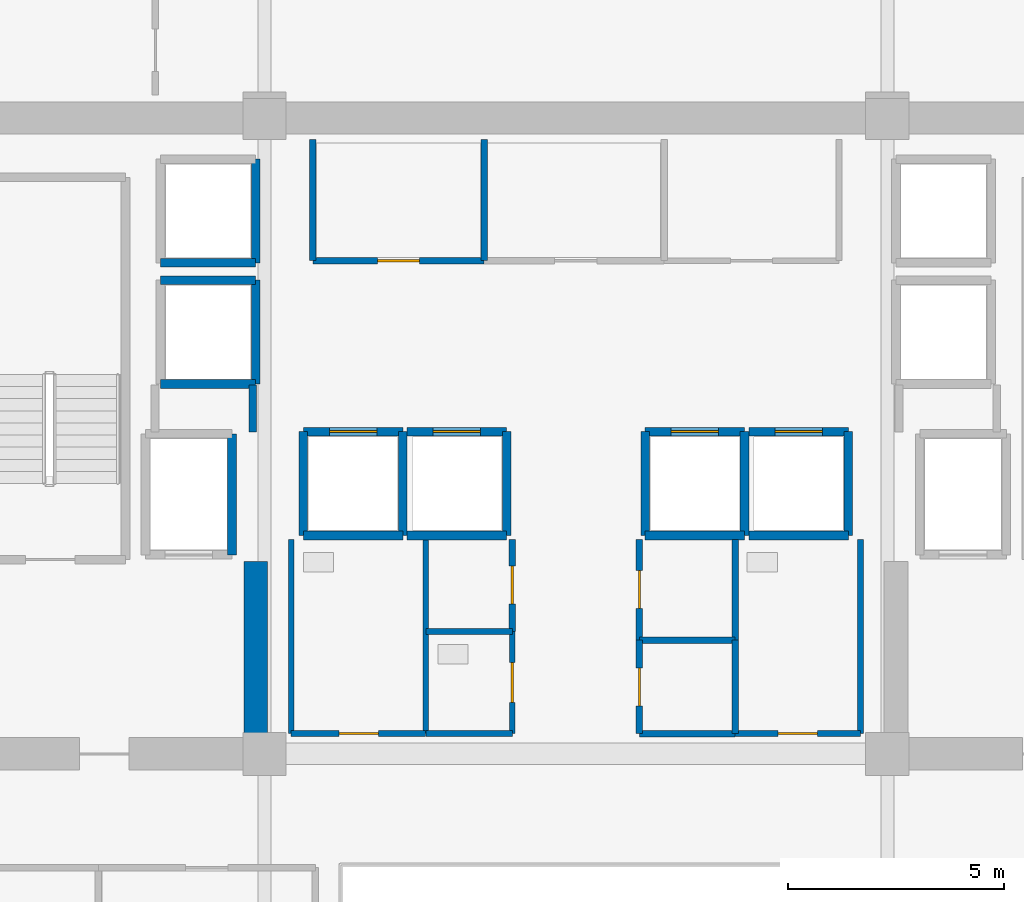
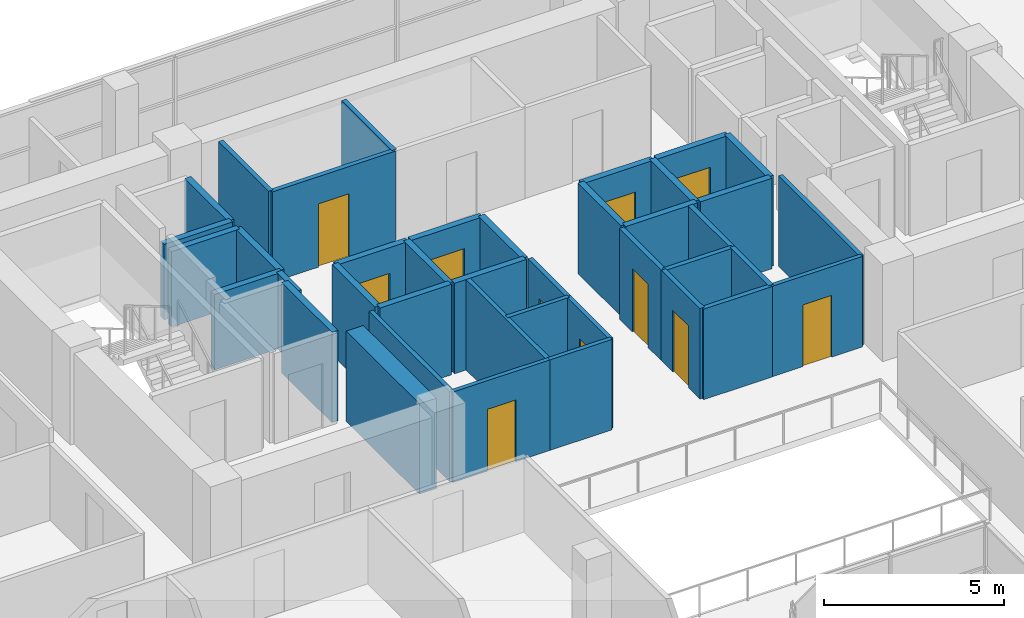
# One storey, part 17 of 23: 40 walls, 11 doors, 11 openings.
"""IFC4 building model written with IfcOpenShell, lengths in metres."""

from ifc_helpers import new_model, si_unit, direction, frame, frame_2d, origin, place, context, subcontext, project, spatial, rectangle, extrude, source, transform, mapped, material, layer, layer_set, type_object, element, fill, save


model = new_model("IFC4")

# Units and contexts
model_context = context("Model", 3, precision=1e-05, world=origin(), true_north=direction((0.0, 1.0)))
body_context = subcontext(model_context, "Body", "Model", "MODEL_VIEW")
ifc_project = project(units=[si_unit("LENGTHUNIT", "METRE"), si_unit("AREAUNIT", "SQUARE_METRE"), si_unit("VOLUMEUNIT", "CUBIC_METRE"), si_unit("PLANEANGLEUNIT", "RADIAN"), si_unit("MASSUNIT", "GRAM", prefix="KILO")], contexts=[model_context])

# Site, building, storey
site_placement = place(None, origin())
site = spatial("IfcSite", under=ifc_project, at=site_placement, CompositionType="ELEMENT")
building_placement = place(site_placement, origin())
building = spatial("IfcBuilding", under=site, at=building_placement, Name="Zarnakvel Exchange Tower", CompositionType="ELEMENT")
storey_placement = place(building_placement, frame((0.0, 0.0, 172.60009765625)))
storey = spatial("IfcBuildingStorey", under=building, at=storey_placement, Name="L48", CompositionType="ELEMENT", Elevation=172.60009765625)

# Wall
ifc_material_1 = material(Name="Concrete C60/75", Category="concrete")
ifc_layer_1 = layer(ifc_material_1, 0.550048828125)
ifc_layer_set_1 = layer_set([ifc_layer_1], Name="Concrete C60/75")
wall_type_1 = type_object("IfcWallType", Name="CW-C4", PredefinedType="SHEAR", material=ifc_layer_set_1)
wall_1_placement = place(storey_placement, frame((-7.39990234375, -0.824951171875, 0.0), z_axis=(0.0, 0.0, 1.0), x_axis=(0.0, 1.0, 0.0)))
element("IfcWall", 1, at=wall_1_placement, inside=storey, type_object=wall_type_1, Name="L48 Rear Core Shear Wall IW (CW-C4)", PredefinedType="SHEAR", context=body_context, shape_type="SweptSolid", body=[
    extrude(rectangle(XDim=4.074951171875, YDim=0.550048828125, at=frame_2d((2.03759765625, 0.0))), origin(), (0.0, 0.0, 1.0), 3.074951171875),
])

# Wall, opening, door
ifc_material_2 = material(Name="Fire-Rated Gypsum Stud Partition", Category="gypsum")
ifc_layer_2 = layer(ifc_material_2, 0.14990234375)
ifc_layer_set_2 = layer_set([ifc_layer_2], Name="Fire-Rated Gypsum Stud Partition")
wall_type_2 = type_object("IfcWallType", Name="PT-01", PredefinedType="PARTITIONING", material=ifc_layer_set_2)
wall_2_placement = place(storey_placement, frame((-2.1201171875, 10.199951171875, 0.0), z_axis=(0.0, 0.0, 1.0), x_axis=(-1.0, 0.0, 0.0)))
wall_2 = element("IfcWall", 2, at=wall_2_placement, inside=storey, type_object=wall_type_2, Name="L48 Partition Wall PWALL-L48-011 (PT-01)", PredefinedType="PARTITIONING", context=body_context, shape_type="SweptSolid", body=[
    extrude(rectangle(XDim=3.9599609375, YDim=0.14990234375, at=frame_2d((1.97998046875, 0.0))), origin(), (0.0, 0.0, 1.0), 3.074951171875),
])
opening_1_placement = place(wall_2_placement, frame((1.489990234375, 0.0, 0.0)))
opening_1 = element("IfcOpeningElement", 3, at=opening_1_placement, cuts=wall_2, Name="Opening D-L48-05", PredefinedType="OPENING", context=body_context, shape_type="SweptSolid", body=[
    extrude(rectangle(XDim=0.97998046875, YDim=2.14990234375, at=frame_2d((0.489990234375, 1.074951171875))), frame((0.0, 0.0849609375, 0.0), z_axis=(0.0, -1.0, 0.0), x_axis=(1.0, 0.0, 0.0)), (0.0, 0.0, 1.0), 0.169921875),
])
ifc_material_3 = material(Name="Timber Acoustic Veneer", Category="wood")
door_type_1 = type_object("IfcDoorType", Name="DT-05", OperationType="NOTDEFINED", PredefinedType="DOOR", material=ifc_material_3)
shared_shape_1 = source(origin(), body_context, "Body", "SweptSolid", [
    extrude(rectangle(XDim=0.97998046875, YDim=2.14990234375, at=frame_2d((0.489990234375, 1.074951171875))), frame((0.0, 0.02490234375, 0.0), z_axis=(0.0, -1.0, 0.0), x_axis=(1.0, 0.0, 0.0)), (0.0, 0.0, 1.0), 0.050048828125),
])
door_1_placement = place(opening_1_placement, origin())
door_1 = element("IfcDoor", 4, at=door_1_placement, inside=storey, type_object=door_type_1, Name="L48 Clearing Records Office Door D-L48-05", OperationType="SINGLE_SWING_RIGHT", OverallHeight=2.14990234375, OverallWidth=0.97998046875, PredefinedType="DOOR", context=body_context, shape_type="MappedRepresentation", body=[
    mapped(shared_shape_1, transform((0.0, 0.0, 0.0), x_axis=(1.0, 0.0, 0.0), y_axis=(0.0, 1.0, 0.0), z_axis=(0.0, 0.0, 1.0), scale=1.0)),
])
fill(opening_1, door_1)

# Walls
for number, where, z_axis, x_axis, name in (
    (5, (-6.080078125, 10.199951171875, 0.0), (0.0, 0.0, 1.0), (0.0, 1.0, 0.0), "L48 Partition Wall PWALL-L48-012 (PT-01)"),
    (6, (-2.1201171875, 13.0, 0.0), (0.0, 0.0, 1.0), (0.0, -1.0, 0.0), "L48 Partition Wall PWALL-L48-013 (PT-01)"),
):
    element("IfcWall", number, at=place(storey_placement, frame(where, z_axis=z_axis, x_axis=x_axis)), inside=storey, type_object=wall_type_2, Name=name, PredefinedType="PARTITIONING", context=body_context, shape_type="SweptSolid", body=[
        extrude(rectangle(XDim=2.800048828125, YDim=0.14990234375, at=frame_2d((1.39990234375, 0.0))), origin(), (0.0, 0.0, 1.0), 3.074951171875),
    ])

# Wall, opening, door
wall_3_placement = place(storey_placement, frame((-1.469970703125, 3.760009765625, 0.0), z_axis=(0.0, 0.0, 1.0), x_axis=(0.0, -1.0, 0.0)))
wall_3 = element("IfcWall", 7, at=wall_3_placement, inside=storey, type_object=wall_type_2, Name="L48 Partition Wall PWALL-L48-024 (PT-01)", PredefinedType="PARTITIONING", context=body_context, shape_type="SweptSolid", body=[
    extrude(rectangle(XDim=2.130126953125, YDim=0.14990234375, at=frame_2d((1.06494140625, 0.0))), origin(), (0.0, 0.0, 1.0), 3.074951171875),
])
opening_2_placement = place(wall_3_placement, frame((0.6201171875, 0.0, 0.0)))
opening_2 = element("IfcOpeningElement", 8, at=opening_2_placement, cuts=wall_3, Name="Opening D-L48-10", PredefinedType="OPENING", context=body_context, shape_type="SweptSolid", body=[
    extrude(rectangle(XDim=0.8798828125, YDim=2.10009765625, at=frame_2d((0.43994140625, 1.050048828125))), frame((0.0, 0.0849609375, 0.0), z_axis=(0.0, -1.0, 0.0), x_axis=(1.0, 0.0, 0.0)), (0.0, 0.0, 1.0), 0.169921875),
])
ifc_material_4 = material(Name="Painted Galvanised Steel S355", Category="steel")
door_type_2 = type_object("IfcDoorType", Name="DT-08", OperationType="NOTDEFINED", PredefinedType="DOOR", material=ifc_material_4)
shared_shape_2 = source(origin(), body_context, "Body", "SweptSolid", [
    extrude(rectangle(XDim=0.8798828125, YDim=2.10009765625, at=frame_2d((0.43994140625, 1.050048828125))), frame((0.0, 0.02490234375, 0.0), z_axis=(0.0, -1.0, 0.0), x_axis=(1.0, 0.0, 0.0)), (0.0, 0.0, 1.0), 0.050048828125),
])
door_2_placement = place(opening_2_placement, origin())
door_2 = element("IfcDoor", 9, at=door_2_placement, inside=storey, type_object=door_type_2, Name="L48 Core Comms Room Door D-L48-10", OperationType="SINGLE_SWING_LEFT", OverallHeight=2.10009765625, OverallWidth=0.8798828125, PredefinedType="DOOR", context=body_context, shape_type="MappedRepresentation", body=[
    mapped(shared_shape_2, transform((0.0, 0.0, 0.0), x_axis=(1.0, 0.0, 0.0), y_axis=(0.0, 1.0, 0.0), z_axis=(0.0, 0.0, 1.0), scale=1.0)),
])
fill(opening_2, door_2)

# Walls
for number, where, z_axis, x_axis, name in (
    (10, (3.679931640625, -0.72998046875, 0.0), (0.0, 0.0, 1.0), (-1.0, 0.0, 0.0), "L48 Partition Wall PWALL-L48-025 (PT-01)"),
    (11, (1.469970703125, 1.429931640625, 0.0), (0.0, 0.0, 1.0), (1.0, 0.0, 0.0), "L48 Partition Wall PWALL-L48-026 (PT-01)"),
):
    element("IfcWall", number, at=place(storey_placement, frame(where, z_axis=z_axis, x_axis=x_axis)), inside=storey, type_object=wall_type_2, Name=name, PredefinedType="PARTITIONING", context=body_context, shape_type="SweptSolid", body=[
        extrude(rectangle(XDim=2.2099609375, YDim=0.14990234375, at=frame_2d((1.10498046875, 0.0))), origin(), (0.0, 0.0, 1.0), 3.074951171875),
    ])

# Wall, opening, door
wall_4_placement = place(storey_placement, frame((1.469970703125, -0.72998046875, 0.0), z_axis=(0.0, 0.0, 1.0), x_axis=(0.0, 1.0, 0.0)))
wall_4 = element("IfcWall", 12, at=wall_4_placement, inside=storey, type_object=wall_type_2, Name="L48 Partition Wall PWALL-L48-027 (PT-01)", PredefinedType="PARTITIONING", context=body_context, shape_type="SweptSolid", body=[
    extrude(rectangle(XDim=2.159912109375, YDim=0.14990234375, at=frame_2d((1.080078125, 0.0))), origin(), (0.0, 0.0, 1.0), 3.074951171875),
])
opening_3_placement = place(wall_4_placement, frame((0.639892578125, 0.0, 0.0)))
opening_3 = element("IfcOpeningElement", 13, at=opening_3_placement, cuts=wall_4, Name="Opening D-L48-11", PredefinedType="OPENING", context=body_context, shape_type="SweptSolid", body=[
    extrude(rectangle(XDim=0.8798828125, YDim=2.10009765625, at=frame_2d((0.43994140625, 1.050048828125))), frame((0.0, 0.0849609375, 0.0), z_axis=(0.0, -1.0, 0.0), x_axis=(1.0, 0.0, 0.0)), (0.0, 0.0, 1.0), 0.169921875),
])
door_3_placement = place(opening_3_placement, origin())
door_3 = element("IfcDoor", 14, at=door_3_placement, inside=storey, type_object=door_type_2, Name="L48 Janitor Store Door D-L48-11", OperationType="SINGLE_SWING_RIGHT", OverallHeight=2.10009765625, OverallWidth=0.8798828125, PredefinedType="DOOR", context=body_context, shape_type="MappedRepresentation", body=[
    mapped(shared_shape_2, transform((0.0, 0.0, 0.0), x_axis=(1.0, 0.0, 0.0), y_axis=(0.0, 1.0, 0.0), z_axis=(0.0, 0.0, 1.0), scale=1.0)),
])
fill(opening_3, door_3)

# Wall
wall_5_placement = place(storey_placement, frame((3.679931640625, 1.429931640625, 0.0), z_axis=(0.0, 0.0, 1.0), x_axis=(0.0, -1.0, 0.0)))
element("IfcWall", 15, at=wall_5_placement, inside=storey, type_object=wall_type_2, Name="L48 Partition Wall PWALL-L48-028 (PT-01)", PredefinedType="PARTITIONING", context=body_context, shape_type="SweptSolid", body=[
    extrude(rectangle(XDim=2.159912109375, YDim=0.14990234375, at=frame_2d((1.080078125, 0.0))), origin(), (0.0, 0.0, 1.0), 3.074951171875),
])

# Wall, opening, door
wall_6_placement = place(storey_placement, frame((1.469970703125, 1.429931640625, 0.0), z_axis=(0.0, 0.0, 1.0), x_axis=(0.0, 1.0, 0.0)))
wall_6 = element("IfcWall", 16, at=wall_6_placement, inside=storey, type_object=wall_type_2, Name="L48 Partition Wall PWALL-L48-029 (PT-01)", PredefinedType="PARTITIONING", context=body_context, shape_type="SweptSolid", body=[
    extrude(rectangle(XDim=2.330078125, YDim=0.14990234375, at=frame_2d((1.1650390625, 0.0))), origin(), (0.0, 0.0, 1.0), 3.074951171875),
])
opening_4_placement = place(wall_6_placement, frame((0.72998046875, 0.0, 0.0)))
opening_4 = element("IfcOpeningElement", 17, at=opening_4_placement, cuts=wall_6, Name="Opening D-L48-12", PredefinedType="OPENING", context=body_context, shape_type="SweptSolid", body=[
    extrude(rectangle(XDim=0.8798828125, YDim=2.14990234375, at=frame_2d((0.43994140625, 1.074951171875))), frame((0.0, 0.0849609375, 0.0), z_axis=(0.0, -1.0, 0.0), x_axis=(1.0, 0.0, 0.0)), (0.0, 0.0, 1.0), 0.169921875),
])
shared_shape_3 = source(origin(), body_context, "Body", "SweptSolid", [
    extrude(rectangle(XDim=0.8798828125, YDim=2.14990234375, at=frame_2d((0.43994140625, 1.074951171875))), frame((0.0, 0.02490234375, 0.0), z_axis=(0.0, -1.0, 0.0), x_axis=(1.0, 0.0, 0.0)), (0.0, 0.0, 1.0), 0.050048828125),
])
door_4_placement = place(opening_4_placement, origin())
door_4 = element("IfcDoor", 18, at=door_4_placement, inside=storey, type_object=door_type_1, Name="L48 Stationery Store Door D-L48-12", OperationType="SINGLE_SWING_LEFT", OverallHeight=2.14990234375, OverallWidth=0.8798828125, PredefinedType="DOOR", context=body_context, shape_type="MappedRepresentation", body=[
    mapped(shared_shape_3, transform((0.0, 0.0, 0.0), x_axis=(1.0, 0.0, 0.0), y_axis=(0.0, 1.0, 0.0), z_axis=(0.0, 0.0, 1.0), scale=1.0)),
])
fill(opening_4, door_4)

# Walls
wall_7_placement = place(storey_placement, frame((3.679931640625, 3.760009765625, 0.0), z_axis=(0.0, 0.0, 1.0), x_axis=(0.0, -1.0, 0.0)))
element("IfcWall", 19, at=wall_7_placement, inside=storey, type_object=wall_type_2, Name="L48 Partition Wall PWALL-L48-030 (PT-01)", PredefinedType="PARTITIONING", context=body_context, shape_type="SweptSolid", body=[
    extrude(rectangle(XDim=2.330078125, YDim=0.14990234375, at=frame_2d((1.1650390625, 0.0))), origin(), (0.0, 0.0, 1.0), 3.074951171875),
])
ifc_layer_3 = layer(ifc_material_2, 0.179931640625)
ifc_layer_set_3 = layer_set([ifc_layer_3], Name="Fire-Rated Gypsum Stud Partition")
wall_type_3 = type_object("IfcWallType", Name="PT-02", PredefinedType="PARTITIONING", material=ifc_layer_set_3)
wall_8_placement = place(storey_placement, frame((-7.469970703125, 7.330078125, 0.0), z_axis=(0.0, 0.0, 1.0), x_axis=(0.0, -1.0, 0.0)))
element("IfcWall", 20, at=wall_8_placement, inside=storey, type_object=wall_type_3, Name="L48 Partition Wall PWALL-L48-008 (PT-02)", PredefinedType="PARTITIONING", context=body_context, shape_type="SweptSolid", body=[
    extrude(rectangle(XDim=1.090087890625, YDim=0.179931640625, at=frame_2d((0.544921875, 0.0))), origin(), (0.0, 0.0, 1.0), 2.56494140625),
])

# Wall, opening, door
ifc_material_5 = material(Name="Moisture-Resistant Tile-Faced Partition", Category="gypsum")
ifc_layer_4 = layer(ifc_material_5, 0.135009765625)
ifc_layer_set_4 = layer_set([ifc_layer_4], Name="Moisture-Resistant Tile-Faced Partition")
wall_type_4 = type_object("IfcWallType", Name="PT-03", PredefinedType="PARTITIONING", material=ifc_layer_set_4)
wall_9_placement = place(storey_placement, frame((-3.469970703125, -0.72998046875, 0.0), z_axis=(0.0, 0.0, 1.0), x_axis=(-1.0, 0.0, 0.0)))
wall_9 = element("IfcWall", 21, at=wall_9_placement, inside=storey, type_object=wall_type_4, Name="L48 Partition Wall PWALL-L48-018 (PT-03)", PredefinedType="PARTITIONING", context=body_context, shape_type="SweptSolid", body=[
    extrude(rectangle(XDim=3.110107421875, YDim=0.135009765625, at=frame_2d((1.55517578125, 0.0))), origin(), (0.0, 0.0, 1.0), 3.074951171875),
])
opening_5_placement = place(wall_9_placement, frame((1.090087890625, 0.0, 0.0)))
opening_5 = element("IfcOpeningElement", 22, at=opening_5_placement, cuts=wall_9, Name="Opening D-L48-08", PredefinedType="OPENING", context=body_context, shape_type="SweptSolid", body=[
    extrude(rectangle(XDim=0.919921875, YDim=2.10009765625, at=frame_2d((0.4599609375, 1.050048828125))), frame((0.0, 0.077392578125, 0.0), z_axis=(0.0, -1.0, 0.0), x_axis=(1.0, 0.0, 0.0)), (0.0, 0.0, 1.0), 0.155029296875),
])
ifc_material_6 = material(Name="Moisture-Resistant Laminate Timber", Category="wood")
door_type_3 = type_object("IfcDoorType", Name="DT-07", OperationType="NOTDEFINED", PredefinedType="DOOR", material=ifc_material_6)
shared_shape_4 = source(origin(), body_context, "Body", "SweptSolid", [
    extrude(rectangle(XDim=0.919921875, YDim=2.10009765625, at=frame_2d((0.4599609375, 1.050048828125))), frame((0.0, 0.02490234375, 0.0), z_axis=(0.0, -1.0, 0.0), x_axis=(1.0, 0.0, 0.0)), (0.0, 0.0, 1.0), 0.050048828125),
])
door_5_placement = place(opening_5_placement, origin())
door_5 = element("IfcDoor", 23, at=door_5_placement, inside=storey, type_object=door_type_3, Name="L48 Male Toilet Door D-L48-08", OperationType="SINGLE_SWING_LEFT", OverallHeight=2.10009765625, OverallWidth=0.919921875, PredefinedType="DOOR", context=body_context, shape_type="MappedRepresentation", body=[
    mapped(shared_shape_4, transform((0.0, 0.0, 0.0), x_axis=(1.0, 0.0, 0.0), y_axis=(0.0, 1.0, 0.0), z_axis=(0.0, 0.0, 1.0), scale=1.0)),
])
fill(opening_5, door_5)

# Walls
for number, where, z_axis, x_axis, name in (
    (24, (-6.580078125, -0.72998046875, 0.0), (0.0, 0.0, 1.0), (0.0, 1.0, 0.0), "L48 Partition Wall PWALL-L48-019 (PT-03)"),
    (25, (-3.469970703125, 3.760009765625, 0.0), (0.0, 0.0, 1.0), (0.0, -1.0, 0.0), "L48 Partition Wall PWALL-L48-020 (PT-03)"),
):
    element("IfcWall", number, at=place(storey_placement, frame(where, z_axis=z_axis, x_axis=x_axis)), inside=storey, type_object=wall_type_4, Name=name, PredefinedType="PARTITIONING", context=body_context, shape_type="SweptSolid", body=[
        extrude(rectangle(XDim=4.489990234375, YDim=0.135009765625, at=frame_2d((2.2451171875, 0.0))), origin(), (0.0, 0.0, 1.0), 3.074951171875),
    ])
for number, where, z_axis, x_axis, name in (
    (26, (-1.469970703125, -0.72998046875, 0.0), (0.0, 0.0, 1.0), (-1.0, 0.0, 0.0), "L48 Partition Wall PWALL-L48-021 (PT-03)"),
    (27, (-3.469970703125, 1.6298828125, 0.0), (0.0, 0.0, 1.0), (1.0, 0.0, 0.0), "L48 Partition Wall PWALL-L48-022 (PT-03)"),
):
    element("IfcWall", number, at=place(storey_placement, frame(where, z_axis=z_axis, x_axis=x_axis)), inside=storey, type_object=wall_type_4, Name=name, PredefinedType="PARTITIONING", context=body_context, shape_type="SweptSolid", body=[
        extrude(rectangle(XDim=2.0, YDim=0.135009765625, at=frame_2d((1.0, 0.0))), origin(), (0.0, 0.0, 1.0), 3.074951171875),
    ])

# Wall, opening, door
wall_10_placement = place(storey_placement, frame((-1.469970703125, 1.6298828125, 0.0), z_axis=(0.0, 0.0, 1.0), x_axis=(0.0, -1.0, 0.0)))
wall_10 = element("IfcWall", 28, at=wall_10_placement, inside=storey, type_object=wall_type_4, Name="L48 Partition Wall PWALL-L48-023 (PT-03)", PredefinedType="PARTITIONING", context=body_context, shape_type="SweptSolid", body=[
    extrude(rectangle(XDim=2.35986328125, YDim=0.135009765625, at=frame_2d((1.179931640625, 0.0))), origin(), (0.0, 0.0, 1.0), 3.074951171875),
])
opening_6_placement = place(wall_10_placement, frame((0.719970703125, 0.0, 0.0)))
opening_6 = element("IfcOpeningElement", 29, at=opening_6_placement, cuts=wall_10, Name="Opening D-L48-09", PredefinedType="OPENING", context=body_context, shape_type="SweptSolid", body=[
    extrude(rectangle(XDim=0.919921875, YDim=2.10009765625, at=frame_2d((0.4599609375, 1.050048828125))), frame((0.0, 0.077392578125, 0.0), z_axis=(0.0, -1.0, 0.0), x_axis=(1.0, 0.0, 0.0)), (0.0, 0.0, 1.0), 0.155029296875),
])
door_6_placement = place(opening_6_placement, origin())
door_6 = element("IfcDoor", 30, at=door_6_placement, inside=storey, type_object=door_type_3, Name="L48 Accessible Toilet Door D-L48-09", OperationType="SINGLE_SWING_RIGHT", OverallHeight=2.10009765625, OverallWidth=0.919921875, PredefinedType="DOOR", context=body_context, shape_type="MappedRepresentation", body=[
    mapped(shared_shape_4, transform((0.0, 0.0, 0.0), x_axis=(1.0, 0.0, 0.0), y_axis=(0.0, 1.0, 0.0), z_axis=(0.0, 0.0, 1.0), scale=1.0)),
])
fill(opening_6, door_6)

wall_11_placement = place(storey_placement, frame((6.580078125, -0.72998046875, 0.0), z_axis=(0.0, 0.0, 1.0), x_axis=(-1.0, 0.0, 0.0)))
wall_11 = element("IfcWall", 31, at=wall_11_placement, inside=storey, type_object=wall_type_4, Name="L48 Partition Wall PWALL-L48-031 (PT-03)", PredefinedType="PARTITIONING", context=body_context, shape_type="SweptSolid", body=[
    extrude(rectangle(XDim=2.900146484375, YDim=0.135009765625, at=frame_2d((1.4501953125, 0.0))), origin(), (0.0, 0.0, 1.0), 3.074951171875),
])
opening_7_placement = place(wall_11_placement, frame((0.989990234375, 0.0, 0.0)))
opening_7 = element("IfcOpeningElement", 32, at=opening_7_placement, cuts=wall_11, Name="Opening D-L48-13", PredefinedType="OPENING", context=body_context, shape_type="SweptSolid", body=[
    extrude(rectangle(XDim=0.919921875, YDim=2.10009765625, at=frame_2d((0.4599609375, 1.050048828125))), frame((0.0, 0.077392578125, 0.0), z_axis=(0.0, -1.0, 0.0), x_axis=(1.0, 0.0, 0.0)), (0.0, 0.0, 1.0), 0.155029296875),
])
door_7_placement = place(opening_7_placement, origin())
door_7 = element("IfcDoor", 33, at=door_7_placement, inside=storey, type_object=door_type_3, Name="L48 Female Toilet Door D-L48-13", OperationType="SINGLE_SWING_RIGHT", OverallHeight=2.10009765625, OverallWidth=0.919921875, PredefinedType="DOOR", context=body_context, shape_type="MappedRepresentation", body=[
    mapped(shared_shape_4, transform((0.0, 0.0, 0.0), x_axis=(1.0, 0.0, 0.0), y_axis=(0.0, 1.0, 0.0), z_axis=(0.0, 0.0, 1.0), scale=1.0)),
])
fill(opening_7, door_7)

# Walls
wall_12_placement = place(storey_placement, frame((6.580078125, 3.760009765625, 0.0), z_axis=(0.0, 0.0, 1.0), x_axis=(0.0, -1.0, 0.0)))
element("IfcWall", 34, at=wall_12_placement, inside=storey, type_object=wall_type_4, Name="L48 Partition Wall PWALL-L48-032 (PT-03)", PredefinedType="PARTITIONING", context=body_context, shape_type="SweptSolid", body=[
    extrude(rectangle(XDim=4.489990234375, YDim=0.135009765625, at=frame_2d((2.2451171875, 0.0))), origin(), (0.0, 0.0, 1.0), 3.074951171875),
])
ifc_material_7 = material(Name="Concrete C40/50", Category="concrete")
ifc_layer_5 = layer(ifc_material_7, 0.199951171875)
ifc_layer_set_5 = layer_set([ifc_layer_5], Name="Concrete C40/50")
wall_type_5 = type_object("IfcWallType", Name="SW-01", PredefinedType="SOLIDWALL", material=ifc_layer_set_5)
wall_13_placement = place(storey_placement, frame((-7.949951171875, 6.199951171875, 0.0), z_axis=(0.0, 0.0, 1.0), x_axis=(0.0, -1.0, 0.0)))
element("IfcWall", 35, at=wall_13_placement, inside=storey, type_object=wall_type_5, Name="L48 FL-01 Hoistway Wall East", PredefinedType="SOLIDWALL", context=body_context, shape_type="SweptSolid", body=[
    extrude(rectangle(XDim=2.800048828125, YDim=0.199951171875, at=frame_2d((1.39990234375, 0.0))), origin(), (0.0, 0.0, 1.0), 3.074951171875),
])
wall_14_placement = place(storey_placement, frame((-4.0, 3.85009765625, 0.0), z_axis=(0.0, 0.0, 1.0), x_axis=(-1.0, 0.0, 0.0)))
element("IfcWall", 36, at=wall_14_placement, inside=storey, type_object=wall_type_5, Name="L48 PL-05 Hoistway Wall South", PredefinedType="SOLIDWALL", context=body_context, shape_type="SweptSolid", body=[
    extrude(rectangle(XDim=2.300048828125, YDim=0.199951171875, at=frame_2d((1.14990234375, 0.0))), origin(), (0.0, 0.0, 1.0), 3.074951171875),
])

# Wall, opening, door
wall_15_placement = place(storey_placement, frame((-6.300048828125, 6.25, 0.0), z_axis=(0.0, 0.0, 1.0), x_axis=(1.0, 0.0, 0.0)))
wall_15 = element("IfcWall", 37, at=wall_15_placement, inside=storey, type_object=wall_type_5, Name="L48 PL-05 Hoistway Wall North", PredefinedType="SOLIDWALL", context=body_context, shape_type="SweptSolid", body=[
    extrude(rectangle(XDim=2.300048828125, YDim=0.199951171875, at=frame_2d((1.14990234375, 0.0))), origin(), (0.0, 0.0, 1.0), 3.074951171875),
])
opening_8_placement = place(wall_15_placement, frame((0.60009765625, 0.0, 0.0)))
opening_8 = element("IfcOpeningElement", 38, at=opening_8_placement, cuts=wall_15, Name="Opening LD-PL-05-L48", PredefinedType="OPENING", context=body_context, shape_type="SweptSolid", body=[
    extrude(rectangle(XDim=1.10009765625, YDim=2.199951171875, at=frame_2d((0.550048828125, 1.10009765625))), frame((0.0, 0.10986328125, 0.0), z_axis=(0.0, -1.0, 0.0), x_axis=(1.0, 0.0, 0.0)), (0.0, 0.0, 1.0), 0.219970703125),
])
ifc_material_8 = material(Name="Architectural Bronze Anodised Aluminium", Category="aluminium")
door_type_4 = type_object("IfcDoorType", Name="LDT-02", OperationType="NOTDEFINED", PredefinedType="DOOR", material=ifc_material_8)
shared_shape_5 = source(origin(), body_context, "Body", "SweptSolid", [
    extrude(rectangle(XDim=1.10009765625, YDim=2.199951171875, at=frame_2d((0.550048828125, 1.10009765625))), frame((0.0, 0.02490234375, 0.0), z_axis=(0.0, -1.0, 0.0), x_axis=(1.0, 0.0, 0.0)), (0.0, 0.0, 1.0), 0.050048828125),
])
door_8_placement = place(opening_8_placement, origin())
door_8 = element("IfcDoor", 39, at=door_8_placement, inside=storey, type_object=door_type_4, Name="L48 PL-05 Lift Landing Door LD-PL-05-L48", OperationType="DOUBLE_DOOR_SLIDING", OverallHeight=2.199951171875, OverallWidth=1.10009765625, PredefinedType="DOOR", context=body_context, shape_type="MappedRepresentation", body=[
    mapped(shared_shape_5, transform((0.0, 0.0, 0.0), x_axis=(1.0, 0.0, 0.0), y_axis=(0.0, 1.0, 0.0), z_axis=(0.0, 0.0, 1.0), scale=1.0)),
])
fill(opening_8, door_8)

# Walls
for number, where, z_axis, x_axis, name in (
    (40, (-6.300048828125, 3.85009765625, 0.0), (0.0, 0.0, 1.0), (0.0, 1.0, 0.0), "L48 PL-05 Hoistway Wall West"),
    (41, (-4.0, 6.25, 0.0), (0.0, 0.0, 1.0), (0.0, -1.0, 0.0), "L48 PL-05 Hoistway Wall East"),
):
    element("IfcWall", number, at=place(storey_placement, frame(where, z_axis=z_axis, x_axis=x_axis)), inside=storey, type_object=wall_type_5, Name=name, PredefinedType="SOLIDWALL", context=body_context, shape_type="SweptSolid", body=[
        extrude(rectangle(XDim=2.39990234375, YDim=0.199951171875, at=frame_2d((1.199951171875, 0.0))), origin(), (0.0, 0.0, 1.0), 3.074951171875),
    ])
wall_16_placement = place(storey_placement, frame((-1.60009765625, 3.85009765625, 0.0), z_axis=(0.0, 0.0, 1.0), x_axis=(-1.0, 0.0, 0.0)))
element("IfcWall", 42, at=wall_16_placement, inside=storey, type_object=wall_type_5, Name="L48 PL-06 Hoistway Wall South", PredefinedType="SOLIDWALL", context=body_context, shape_type="SweptSolid", body=[
    extrude(rectangle(XDim=2.2998046875, YDim=0.199951171875, at=frame_2d((1.14990234375, 0.0))), origin(), (0.0, 0.0, 1.0), 3.074951171875),
])

# Wall, opening, door
wall_17_placement = place(storey_placement, frame((-3.89990234375, 6.25, 0.0), z_axis=(0.0, 0.0, 1.0), x_axis=(1.0, 0.0, 0.0)))
wall_17 = element("IfcWall", 43, at=wall_17_placement, inside=storey, type_object=wall_type_5, Name="L48 PL-06 Hoistway Wall North", PredefinedType="SOLIDWALL", context=body_context, shape_type="SweptSolid", body=[
    extrude(rectangle(XDim=2.2998046875, YDim=0.199951171875, at=frame_2d((1.14990234375, 0.0))), origin(), (0.0, 0.0, 1.0), 3.074951171875),
])
opening_9_placement = place(wall_17_placement, frame((0.60009765625, 0.0, 0.0)))
opening_9 = element("IfcOpeningElement", 44, at=opening_9_placement, cuts=wall_17, Name="Opening LD-PL-06-L48", PredefinedType="OPENING", context=body_context, shape_type="SweptSolid", body=[
    extrude(rectangle(XDim=1.10009765625, YDim=2.199951171875, at=frame_2d((0.550048828125, 1.10009765625))), frame((0.0, 0.10986328125, 0.0), z_axis=(0.0, -1.0, 0.0), x_axis=(1.0, 0.0, 0.0)), (0.0, 0.0, 1.0), 0.219970703125),
])
door_9_placement = place(opening_9_placement, origin())
door_9 = element("IfcDoor", 45, at=door_9_placement, inside=storey, type_object=door_type_4, Name="L48 PL-06 Lift Landing Door LD-PL-06-L48", OperationType="DOUBLE_DOOR_SLIDING", OverallHeight=2.199951171875, OverallWidth=1.10009765625, PredefinedType="DOOR", context=body_context, shape_type="MappedRepresentation", body=[
    mapped(shared_shape_5, transform((0.0, 0.0, 0.0), x_axis=(1.0, 0.0, 0.0), y_axis=(0.0, 1.0, 0.0), z_axis=(0.0, 0.0, 1.0), scale=1.0)),
])
fill(opening_9, door_9)

# Walls
wall_18_placement = place(storey_placement, frame((-1.60009765625, 6.25, 0.0), z_axis=(0.0, 0.0, 1.0), x_axis=(0.0, -1.0, 0.0)))
element("IfcWall", 46, at=wall_18_placement, inside=storey, type_object=wall_type_5, Name="L48 PL-06 Hoistway Wall East", PredefinedType="SOLIDWALL", context=body_context, shape_type="SweptSolid", body=[
    extrude(rectangle(XDim=2.39990234375, YDim=0.199951171875, at=frame_2d((1.199951171875, 0.0))), origin(), (0.0, 0.0, 1.0), 3.074951171875),
])
wall_19_placement = place(storey_placement, frame((3.89990234375, 3.85009765625, 0.0), z_axis=(0.0, 0.0, 1.0), x_axis=(-1.0, 0.0, 0.0)))
element("IfcWall", 47, at=wall_19_placement, inside=storey, type_object=wall_type_5, Name="L48 PL-07 Hoistway Wall South", PredefinedType="SOLIDWALL", context=body_context, shape_type="SweptSolid", body=[
    extrude(rectangle(XDim=2.2998046875, YDim=0.199951171875, at=frame_2d((1.14990234375, 0.0))), origin(), (0.0, 0.0, 1.0), 3.074951171875),
])

# Wall, opening, door
wall_20_placement = place(storey_placement, frame((1.60009765625, 6.25, 0.0), z_axis=(0.0, 0.0, 1.0), x_axis=(1.0, 0.0, 0.0)))
wall_20 = element("IfcWall", 48, at=wall_20_placement, inside=storey, type_object=wall_type_5, Name="L48 PL-07 Hoistway Wall North", PredefinedType="SOLIDWALL", context=body_context, shape_type="SweptSolid", body=[
    extrude(rectangle(XDim=2.2998046875, YDim=0.199951171875, at=frame_2d((1.14990234375, 0.0))), origin(), (0.0, 0.0, 1.0), 3.074951171875),
])
opening_10_placement = place(wall_20_placement, frame((0.60009765625, 0.0, 0.0)))
opening_10 = element("IfcOpeningElement", 49, at=opening_10_placement, cuts=wall_20, Name="Opening LD-PL-07-L48", PredefinedType="OPENING", context=body_context, shape_type="SweptSolid", body=[
    extrude(rectangle(XDim=1.10009765625, YDim=2.199951171875, at=frame_2d((0.550048828125, 1.10009765625))), frame((0.0, 0.10986328125, 0.0), z_axis=(0.0, -1.0, 0.0), x_axis=(1.0, 0.0, 0.0)), (0.0, 0.0, 1.0), 0.219970703125),
])
door_10_placement = place(opening_10_placement, origin())
door_10 = element("IfcDoor", 50, at=door_10_placement, inside=storey, type_object=door_type_4, Name="L48 PL-07 Lift Landing Door LD-PL-07-L48", OperationType="DOUBLE_DOOR_SLIDING", OverallHeight=2.199951171875, OverallWidth=1.10009765625, PredefinedType="DOOR", context=body_context, shape_type="MappedRepresentation", body=[
    mapped(shared_shape_5, transform((0.0, 0.0, 0.0), x_axis=(1.0, 0.0, 0.0), y_axis=(0.0, 1.0, 0.0), z_axis=(0.0, 0.0, 1.0), scale=1.0)),
])
fill(opening_10, door_10)

# Walls
for number, where, z_axis, x_axis, name in (
    (51, (1.60009765625, 3.85009765625, 0.0), (0.0, 0.0, 1.0), (0.0, 1.0, 0.0), "L48 PL-07 Hoistway Wall West"),
    (52, (3.89990234375, 6.25, 0.0), (0.0, 0.0, 1.0), (0.0, -1.0, 0.0), "L48 PL-07 Hoistway Wall East"),
):
    element("IfcWall", number, at=place(storey_placement, frame(where, z_axis=z_axis, x_axis=x_axis)), inside=storey, type_object=wall_type_5, Name=name, PredefinedType="SOLIDWALL", context=body_context, shape_type="SweptSolid", body=[
        extrude(rectangle(XDim=2.39990234375, YDim=0.199951171875, at=frame_2d((1.199951171875, 0.0))), origin(), (0.0, 0.0, 1.0), 3.074951171875),
    ])
wall_21_placement = place(storey_placement, frame((6.300048828125, 3.85009765625, 0.0), z_axis=(0.0, 0.0, 1.0), x_axis=(-1.0, 0.0, 0.0)))
element("IfcWall", 53, at=wall_21_placement, inside=storey, type_object=wall_type_5, Name="L48 PL-08 Hoistway Wall South", PredefinedType="SOLIDWALL", context=body_context, shape_type="SweptSolid", body=[
    extrude(rectangle(XDim=2.300048828125, YDim=0.199951171875, at=frame_2d((1.14990234375, 0.0))), origin(), (0.0, 0.0, 1.0), 3.074951171875),
])

# Wall, opening, door
wall_22_placement = place(storey_placement, frame((4.0, 6.25, 0.0), z_axis=(0.0, 0.0, 1.0), x_axis=(1.0, 0.0, 0.0)))
wall_22 = element("IfcWall", 54, at=wall_22_placement, inside=storey, type_object=wall_type_5, Name="L48 PL-08 Hoistway Wall North", PredefinedType="SOLIDWALL", context=body_context, shape_type="SweptSolid", body=[
    extrude(rectangle(XDim=2.300048828125, YDim=0.199951171875, at=frame_2d((1.14990234375, 0.0))), origin(), (0.0, 0.0, 1.0), 3.074951171875),
])
opening_11_placement = place(wall_22_placement, frame((0.60009765625, 0.0, 0.0)))
opening_11 = element("IfcOpeningElement", 55, at=opening_11_placement, cuts=wall_22, Name="Opening LD-PL-08-L48", PredefinedType="OPENING", context=body_context, shape_type="SweptSolid", body=[
    extrude(rectangle(XDim=1.10009765625, YDim=2.199951171875, at=frame_2d((0.550048828125, 1.10009765625))), frame((0.0, 0.10986328125, 0.0), z_axis=(0.0, -1.0, 0.0), x_axis=(1.0, 0.0, 0.0)), (0.0, 0.0, 1.0), 0.219970703125),
])
door_11_placement = place(opening_11_placement, origin())
door_11 = element("IfcDoor", 56, at=door_11_placement, inside=storey, type_object=door_type_4, Name="L48 PL-08 Lift Landing Door LD-PL-08-L48", OperationType="DOUBLE_DOOR_SLIDING", OverallHeight=2.199951171875, OverallWidth=1.10009765625, PredefinedType="DOOR", context=body_context, shape_type="MappedRepresentation", body=[
    mapped(shared_shape_5, transform((0.0, 0.0, 0.0), x_axis=(1.0, 0.0, 0.0), y_axis=(0.0, 1.0, 0.0), z_axis=(0.0, 0.0, 1.0), scale=1.0)),
])
fill(opening_11, door_11)

# Walls
wall_23_placement = place(storey_placement, frame((6.300048828125, 6.25, 0.0), z_axis=(0.0, 0.0, 1.0), x_axis=(0.0, -1.0, 0.0)))
element("IfcWall", 57, at=wall_23_placement, inside=storey, type_object=wall_type_5, Name="L48 PL-08 Hoistway Wall East", PredefinedType="SOLIDWALL", context=body_context, shape_type="SweptSolid", body=[
    extrude(rectangle(XDim=2.39990234375, YDim=0.199951171875, at=frame_2d((1.199951171875, 0.0))), origin(), (0.0, 0.0, 1.0), 3.074951171875),
])
for number, where, z_axis, x_axis, name in (
    (58, (-7.39990234375, 7.35009765625, 0.0), (0.0, 0.0, 1.0), (-1.0, 0.0, 0.0), "L48 PL-09 Hoistway Wall South"),
    (59, (-9.60009765625, 9.75, 0.0), (0.0, 0.0, 1.0), (1.0, 0.0, 0.0), "L48 PL-09 Hoistway Wall North"),
):
    element("IfcWall", number, at=place(storey_placement, frame(where, z_axis=z_axis, x_axis=x_axis)), inside=storey, type_object=wall_type_5, Name=name, PredefinedType="SOLIDWALL", context=body_context, shape_type="SweptSolid", body=[
        extrude(rectangle(XDim=2.2001953125, YDim=0.199951171875, at=frame_2d((1.10009765625, 0.0))), origin(), (0.0, 0.0, 1.0), 2.56494140625),
    ])
wall_24_placement = place(storey_placement, frame((-7.39990234375, 9.75, 0.0), z_axis=(0.0, 0.0, 1.0), x_axis=(0.0, -1.0, 0.0)))
element("IfcWall", 60, at=wall_24_placement, inside=storey, type_object=wall_type_5, Name="L48 PL-09 Hoistway Wall East", PredefinedType="SOLIDWALL", context=body_context, shape_type="SweptSolid", body=[
    extrude(rectangle(XDim=2.39990234375, YDim=0.199951171875, at=frame_2d((1.199951171875, 0.0))), origin(), (0.0, 0.0, 1.0), 2.56494140625),
])
wall_25_placement = place(storey_placement, frame((-7.39990234375, 10.14990234375, 0.0), z_axis=(0.0, 0.0, 1.0), x_axis=(-1.0, 0.0, 0.0)))
element("IfcWall", 61, at=wall_25_placement, inside=storey, type_object=wall_type_5, Name="L48 PL-10 Hoistway Wall South", PredefinedType="SOLIDWALL", context=body_context, shape_type="SweptSolid", body=[
    extrude(rectangle(XDim=2.2001953125, YDim=0.199951171875, at=frame_2d((1.10009765625, 0.0))), origin(), (0.0, 0.0, 1.0), 2.56494140625),
])
wall_26_placement = place(storey_placement, frame((-7.39990234375, 12.550048828125, 0.0), z_axis=(0.0, 0.0, 1.0), x_axis=(0.0, -1.0, 0.0)))
element("IfcWall", 62, at=wall_26_placement, inside=storey, type_object=wall_type_5, Name="L48 PL-10 Hoistway Wall East", PredefinedType="SOLIDWALL", context=body_context, shape_type="SweptSolid", body=[
    extrude(rectangle(XDim=2.400146484375, YDim=0.199951171875, at=frame_2d((1.2001953125, 0.0))), origin(), (0.0, 0.0, 1.0), 2.56494140625),
])

save(model, "model.ifc")
